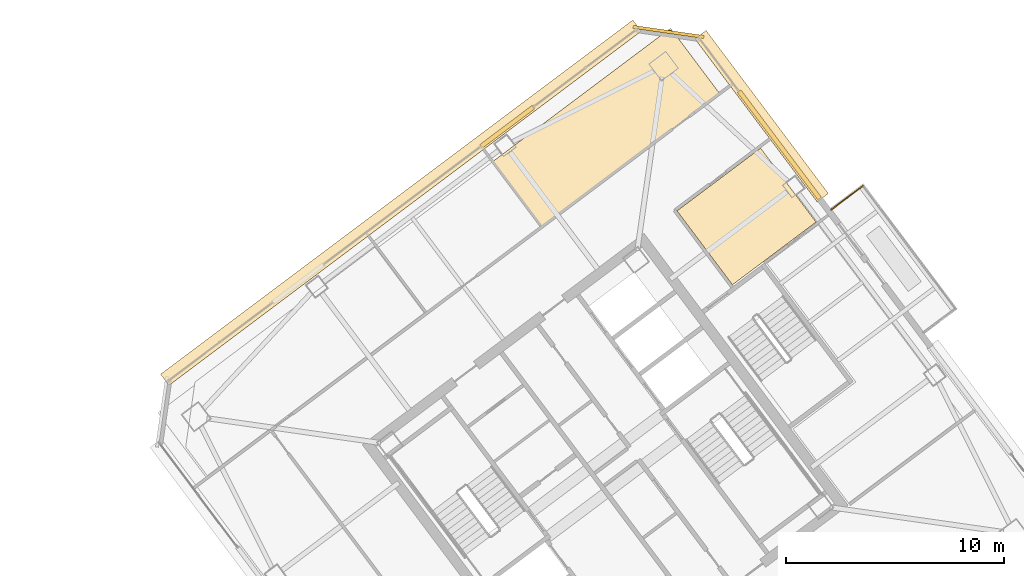
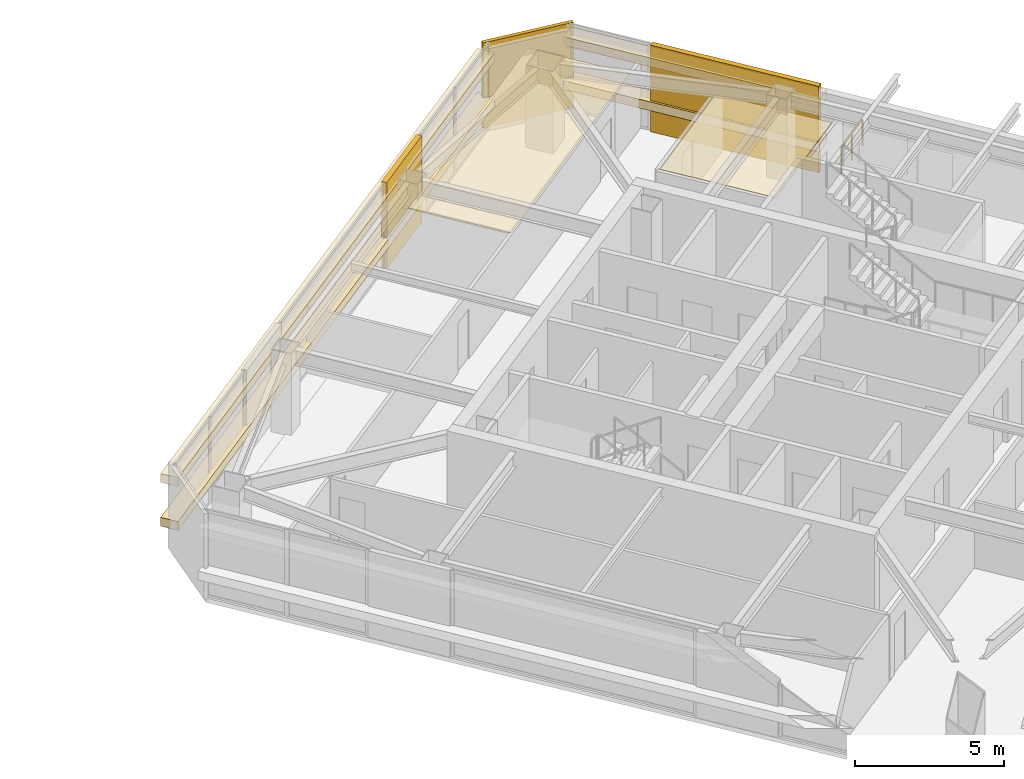
# One storey, part 39 of 39: 9 coverings, 1 railing.
"""IFC4 building model written with IfcOpenShell, lengths in metres."""

from ifc_helpers import new_model, si_unit, direction, frame, origin, origin_2d, place, context, subcontext, project, spatial, polyline, rectangle, outline, extrude, material, layer, layer_set, type_object, element, save


model = new_model("IFC4")

# Units and contexts
model_context = context("Model", 3, precision=1e-05, world=origin(), true_north=direction((0.0, 1.0)))
body_context = subcontext(model_context, "Body", "Model", "MODEL_VIEW")
ifc_project = project(units=[si_unit("LENGTHUNIT", "METRE"), si_unit("AREAUNIT", "SQUARE_METRE"), si_unit("VOLUMEUNIT", "CUBIC_METRE"), si_unit("PLANEANGLEUNIT", "RADIAN"), si_unit("MASSUNIT", "GRAM", prefix="KILO")], contexts=[model_context])

# Site, building, storey
site_placement = place(None, origin())
site = spatial("IfcSite", under=ifc_project, at=site_placement, CompositionType="ELEMENT")
building_placement = place(site_placement, origin())
building = spatial("IfcBuilding", under=site, at=building_placement, Name="Tashvorn Skyway Center", CompositionType="ELEMENT")
storey_placement = place(building_placement, frame((0.0, 0.0, 214.85009765625)))
storey = spatial("IfcBuildingStorey", under=building, at=storey_placement, Name="L58", CompositionType="ELEMENT", Elevation=214.85009765625)

# Coverings
ifc_material_1 = material(Name="Precast concrete C40/50", Category="concrete")
ifc_layer_1 = layer(ifc_material_1, 0.199951171875)
ifc_layer_set_1 = layer_set([ifc_layer_1], Name="Precast concrete C40/50")
covering_type_1 = type_object("IfcCoveringType", Name="COV-BRACE-CLAD", PredefinedType="CLADDING", material=ifc_layer_set_1)
covering_1_placement = place(storey_placement, frame((109.5048828125, 47.978759765625, 0.0), z_axis=(0.0, 0.0, 1.0), x_axis=(0.799999996291, 0.600000004945, 0.0)))
element("IfcCovering", 1, at=covering_1_placement, inside=storey, type_object=covering_type_1, Name="Tower 2 L58 North Unitised Curtain Wall Mega-Brace Cladding Band 2", PredefinedType="CLADDING", context=body_context, shape_type="SweptSolid", body=[
    extrude(rectangle(XDim=2.99560546875, YDim=0.199951171875, at=origin_2d()), origin(), (0.0, 0.0, 1.0), 3.550048828125),
])
covering_2_placement = place(storey_placement, frame((121.988037109375, 47.1494140625, 0.0), z_axis=(0.0, 0.0, 1.0), x_axis=(0.600000004945, -0.799999996291, 0.0)))
element("IfcCovering", 2, at=covering_2_placement, inside=storey, type_object=covering_type_1, Name="Tower 2 L58 East Curtain Wall L Mega-Brace Cladding Band 1", PredefinedType="CLADDING", context=body_context, shape_type="SweptSolid", body=[
    extrude(rectangle(XDim=6.1533203125, YDim=0.199951171875, at=origin_2d()), origin(), (0.0, 0.0, 1.0), 3.550048828125),
])
ifc_material_2 = material(Name="Mineral-fibre acoustic ceiling tile on suspended grid")
ifc_layer_2 = layer(ifc_material_2, 0.02001953125)
ifc_layer_set_2 = layer_set([ifc_layer_2], Name="Mineral-fibre acoustic ceiling tile on suspended grid")
covering_type_2 = type_object("IfcCoveringType", Name="COV-CEIL-20", PredefinedType="CEILING", material=ifc_layer_set_2)
covering_3_placement = place(storey_placement, frame((0.0, 0.0, 2.702880859375)))
element("IfcCovering", 3, at=covering_3_placement, inside=storey, type_object=covering_type_2, Name="Tower 2 L58 Collaborative Studio Acoustic Ceiling", PredefinedType="CEILING", context=body_context, shape_type="SweptSolid", body=[
    extrude(outline(polyline([(111.090087890625, 43.3798828125), (119.25, 49.5), (117.0, 52.5), (108.840087890625, 46.3798828125), (111.090087890625, 43.3798828125)])), origin(), (0.0, 0.0, 1.0), 0.02001953125),
])
covering_4_placement = place(storey_placement, frame((0.0, 0.0, 2.702880859375)))
element("IfcCovering", 4, at=covering_4_placement, inside=storey, type_object=covering_type_2, Name="Tower 2 L58 Gallery Showroom Acoustic Ceiling", PredefinedType="CEILING", context=body_context, shape_type="SweptSolid", body=[
    extrude(outline(polyline([(119.840087890625, 40.72998046875), (117.2958984375, 44.1220703125), (121.1279296875, 46.99609375), (123.672119140625, 43.60400390625), (119.840087890625, 40.72998046875)])), origin(), (0.0, 0.0, 1.0), 0.02001953125),
])
ifc_material_3 = material(Name="Perforated ceramic-coated bronze aluminium solar screen", Category="aluminium")
ifc_layer_3 = layer(ifc_material_3, 0.85009765625)
ifc_layer_set_3 = layer_set([ifc_layer_3], Name="Perforated ceramic-coated bronze aluminium solar screen")
covering_type_3 = type_object("IfcCoveringType", Name="COV-SOLAR-BAND", PredefinedType="CLADDING", material=ifc_layer_set_3)
for number, where, z_axis, x_axis, name in (
    (5, (104.6279296875, 44.49609375, 0.919921875), (0.0, 0.0, 1.0), (0.799999996291, 0.600000004945, 0.0), "L58 Perforated Ceramic-Metal Solar Screen Louvre Band North 1"),
    (6, (104.6279296875, 44.49609375, 2.7197265625), (0.0, 0.0, 1.0), (0.799999996291, 0.600000004945, 0.0), "L58 Perforated Ceramic-Metal Solar Screen Louvre Band North 2"),
):
    element("IfcCovering", number, at=place(storey_placement, frame(where, z_axis=z_axis, x_axis=x_axis)), inside=storey, type_object=covering_type_3, Name=name, PredefinedType="CLADDING", context=body_context, shape_type="SweptSolid", body=[
        extrude(rectangle(XDim=27.080078125, YDim=0.639892578125, at=origin_2d()), origin(), (0.0, 0.0, 1.0), 0.360107421875),
    ])
for number, where, z_axis, x_axis, name in (
    (7, (121.177001953125, 48.464111328125, 0.919921875), (0.0, 0.0, 1.0), (0.600000004945, -0.799999996291, 0.0), "L58 Perforated Ceramic-Metal Solar Screen Louvre Band East 1"),
    (8, (121.177001953125, 48.464111328125, 2.7197265625), (0.0, 0.0, 1.0), (0.600000004945, -0.799999996291, 0.0), "L58 Perforated Ceramic-Metal Solar Screen Louvre Band East 2"),
):
    element("IfcCovering", number, at=place(storey_placement, frame(where, z_axis=z_axis, x_axis=x_axis)), inside=storey, type_object=covering_type_3, Name=name, PredefinedType="CLADDING", context=body_context, shape_type="SweptSolid", body=[
        extrude(rectangle(XDim=9.35009765625, YDim=0.639892578125, at=origin_2d()), origin(), (0.0, 0.0, 1.0), 0.360107421875),
    ])
ifc_layer_4 = layer(ifc_material_1, 0.35009765625)
ifc_layer_set_4 = layer_set([ifc_layer_4], Name="Precast concrete C40/50")
covering_type_4 = type_object("IfcCoveringType", Name="COV-STONE-TRIM", PredefinedType="CLADDING", material=ifc_layer_set_4)
covering_5_placement = place(storey_placement, frame((116.904052734375, 52.327880859375, 0.02001953125), z_axis=(0.0, 0.0, 1.0), x_axis=(0.989949494535, -0.141421350118, 0.0)))
element("IfcCovering", 9, at=covering_5_placement, inside=storey, type_object=covering_type_4, Name="Tower 2 L58 NE Mojave Limestone Corner Quoin", PredefinedType="CLADDING", context=body_context, shape_type="SweptSolid", body=[
    extrude(rectangle(XDim=3.271240234375, YDim=0.139892578125, at=origin_2d()), origin(), (0.0, 0.0, 1.0), 3.510009765625),
])

# Railing
ifc_material_4 = material(Name="Galvanized steel S355", Category="steel")
railing_type = type_object("IfcRailingType", Name="RAIL-GUARD-1120", PredefinedType="GUARDRAIL", material=ifc_material_4)
railing_placement = place(storey_placement, frame((125.823974609375, 45.26806640625, 0.0)))
element("IfcRailing", 10, at=railing_placement, inside=storey, type_object=railing_type, Name="L58 Tower 2 Terrace Guardrail 03", PredefinedType="GUARDRAIL", context=body_context, shape_type="SweptSolid", body=[
    extrude(rectangle(XDim=0.048095703125, YDim=0.048095703125, at=origin_2d()), frame((0.0, 0.0, 1.09619140625), z_axis=(-0.8, -0.6, 0.0), x_axis=(0.6, -0.8, 0.0)), (0.0, 0.0, 1.0), 1.820068359375),
    extrude(rectangle(XDim=0.0419921875, YDim=0.0419921875, at=origin_2d()), origin(), (0.0, 0.0, 1.0), 1.072021484375),
    extrude(rectangle(XDim=0.0419921875, YDim=0.0419921875, at=origin_2d()), frame((-0.72802734375, -0.5458984375, 0.0)), (0.0, 0.0, 1.0), 1.072021484375),
    extrude(rectangle(XDim=0.0419921875, YDim=0.0419921875, at=origin_2d()), frame((-1.4560546875, -1.092041015625, 0.0)), (0.0, 0.0, 1.0), 1.072021484375),
])

save(model, "model.ifc")
